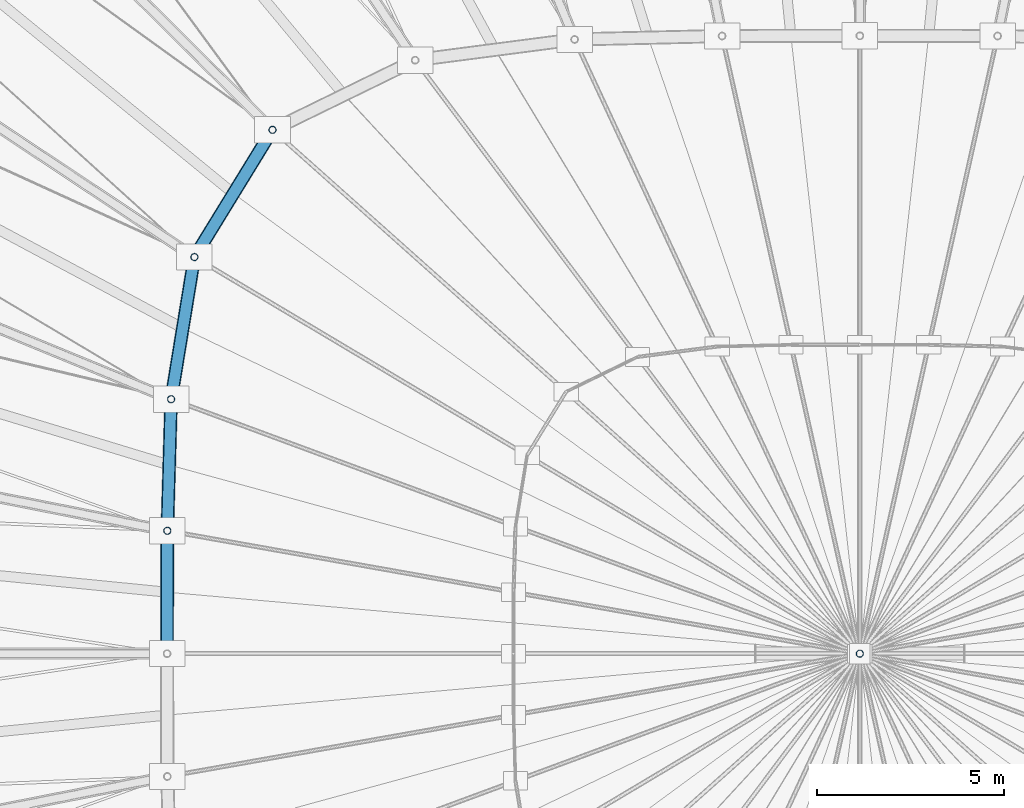
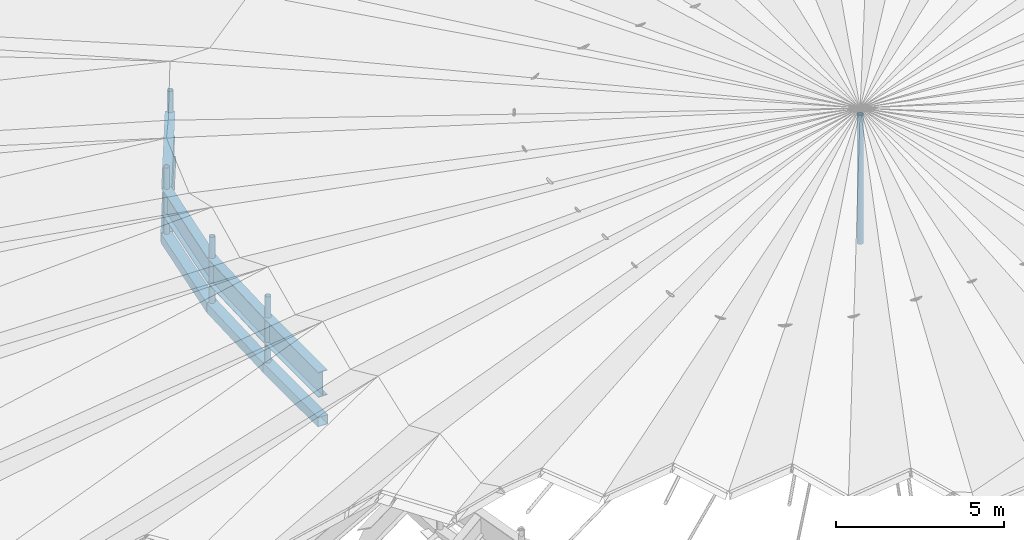
# One storey, part 11 of 41: 9 members, 4 beams.
"""IFC4 building model written with IfcOpenShell, lengths in metres."""

from ifc_helpers import new_model, si_unit, direction, frame, origin, origin_2d, place, context, subcontext, project, spatial, hollow_rectangle, hollow_circle, i_section, extrude, material, material_profile, profile_set, type_object, element, save


model = new_model("IFC4")

# Units and contexts
model_context = context("Model", 3, precision=1e-05, world=origin(), true_north=direction((0.0, 1.0)))
body_context = subcontext(model_context, "Body", "Model", "MODEL_VIEW")
ifc_project = project(units=[si_unit("LENGTHUNIT", "METRE"), si_unit("AREAUNIT", "SQUARE_METRE"), si_unit("VOLUMEUNIT", "CUBIC_METRE"), si_unit("PLANEANGLEUNIT", "RADIAN"), si_unit("MASSUNIT", "GRAM", prefix="KILO")], contexts=[model_context])

# Site, building, storey
site_placement = place(None, origin())
site = spatial("IfcSite", under=ifc_project, at=site_placement, CompositionType="ELEMENT")
building_placement = place(site_placement, origin())
building = spatial("IfcBuilding", under=site, at=building_placement, Name="Luwafu Chhajja Arena", CompositionType="ELEMENT")
storey_placement = place(building_placement, frame((0.0, 0.0, 29.699951171875)))
storey = spatial("IfcBuildingStorey", under=building, at=storey_placement, Name="RF", CompositionType="ELEMENT", Elevation=29.699951171875)

# Members
ifc_material = material(Name="Steel S355", Category="steel")
ifc_material_profile_1 = material_profile(ifc_material, hollow_circle(Radius=0.096923828125, WallThickness=0.008056640625, at=origin_2d()), Name="CHS 193.7x8")
ifc_profile_set_1 = profile_set([ifc_material_profile_1], Name="Steel S355")
member_type_1 = type_object("IfcMemberType", Name="Folded Pleat Tie Strut CHS 194", PredefinedType="BRACE", material=ifc_profile_set_1)
for number, where, z_axis, x_axis, name in (
    (1, (83.314453125, 63.48974609375, 4.10009765625), (0.0, 0.0, 1.0), (1.0, 0.0, 0.0), "Roof Inner Ring Truss Web IRW-13"),
    (2, (81.228759765625, 60.090576171875, 4.10009765625), (0.0, 0.0, 1.0), (1.0, 0.0, 0.0), "Roof Inner Ring Truss Web IRW-14"),
    (3, (80.607177734375, 56.294921875, 4.10009765625), (0.0, 0.0, 1.0), (1.0, 0.0, 0.0), "Roof Inner Ring Truss Web IRW-15"),
    (4, (80.5048828125, 52.78125, 4.10009765625), (0.0, 0.0, 1.0), (1.0, 0.0, 0.0), "Roof Inner Ring Truss Web IRW-16"),
):
    element("IfcMember", number, at=place(storey_placement, frame(where, z_axis=z_axis, x_axis=x_axis)), inside=storey, type_object=member_type_1, Name=name, PredefinedType="BRACE", context=body_context, shape_type="SweptSolid", body=[
        extrude(hollow_circle(Radius=0.096923828125, WallThickness=0.008056640625, at=origin_2d()), origin(), (0.0, 0.0, 1.0), 2.579833984375),
    ])
member_1_placement = place(storey_placement, frame((99.0, 49.5, 4.10009765625), z_axis=(0.0, 0.0, 1.0), x_axis=(1.0, 0.0, 0.0)))
element("IfcMember", 5, at=member_1_placement, inside=storey, type_object=member_type_1, Name="Cable Net Central Hub King Strut", PredefinedType="BRACE", context=body_context, shape_type="SweptSolid", body=[
    extrude(hollow_circle(Radius=0.096923828125, WallThickness=0.008056640625, at=origin_2d()), origin(), (0.0, 0.0, 1.0), 4.699951171875),
])

# Beams
ifc_material_profile_2 = material_profile(ifc_material, i_section(OverallWidth=0.305419921875, OverallDepth=0.91845703125, WebThickness=0.017333984375, FlangeThickness=0.02783203125, at=origin_2d()), Name="UB 914x305x253")
ifc_profile_set_2 = profile_set([ifc_material_profile_2], Name="Steel S355")
beam_type = type_object("IfcBeamType", Name="Inner Tension Ring Girder UB 914x305x253", PredefinedType="BEAM", material=ifc_profile_set_2)
beam_1_placement = place(storey_placement, frame((83.314453125, 63.48974609375, 5.449951171875), z_axis=(-0.522986908325, -0.852340714574, 0.0), x_axis=(0.852340714574, -0.522986908325, 0.0)))
element("IfcBeam", 6, at=beam_1_placement, inside=storey, type_object=beam_type, Name="Roof Inner Tension Ring Beam IR-13", PredefinedType="BEAM", context=body_context, shape_type="SweptSolid", body=[
    extrude(i_section(OverallWidth=0.305419921875, OverallDepth=0.91845703125, WebThickness=0.017333984375, FlangeThickness=0.02783203125, at=origin_2d()), origin(), (0.0, 0.0, 1.0), 3.988037109375),
])
beam_2_placement = place(storey_placement, frame((81.228759765625, 60.090576171875, 5.449951171875), z_axis=(-0.161608835362, -0.986854895277, 0.0), x_axis=(0.986854895277, -0.161608835362, 0.0)))
element("IfcBeam", 7, at=beam_2_placement, inside=storey, type_object=beam_type, Name="Roof Inner Tension Ring Beam IR-14", PredefinedType="BEAM", context=body_context, shape_type="SweptSolid", body=[
    extrude(i_section(OverallWidth=0.305419921875, OverallDepth=0.91845703125, WebThickness=0.017333984375, FlangeThickness=0.02783203125, at=origin_2d()), origin(), (0.0, 0.0, 1.0), 3.84619140625),
])
beam_3_placement = place(storey_placement, frame((80.607177734375, 56.294921875, 5.449951171875), z_axis=(-0.029101066059, -0.99957647429, 0.0), x_axis=(0.99957647429, -0.029101066059, 0.0)))
element("IfcBeam", 8, at=beam_3_placement, inside=storey, type_object=beam_type, Name="Roof Inner Tension Ring Beam IR-15", PredefinedType="BEAM", context=body_context, shape_type="SweptSolid", body=[
    extrude(i_section(OverallWidth=0.305419921875, OverallDepth=0.91845703125, WebThickness=0.017333984375, FlangeThickness=0.02783203125, at=origin_2d()), origin(), (0.0, 0.0, 1.0), 3.51513671875),
])
beam_4_placement = place(storey_placement, frame((80.5048828125, 52.78125, 5.449951171875), z_axis=(-0.00148809359, -0.999998892788, 0.0), x_axis=(0.999998892788, -0.00148809359, 0.0)))
element("IfcBeam", 9, at=beam_4_placement, inside=storey, type_object=beam_type, Name="Roof Inner Tension Ring Beam IR-16", PredefinedType="BEAM", context=body_context, shape_type="SweptSolid", body=[
    extrude(i_section(OverallWidth=0.305419921875, OverallDepth=0.91845703125, WebThickness=0.017333984375, FlangeThickness=0.02783203125, at=origin_2d()), origin(), (0.0, 0.0, 1.0), 3.28125),
])

# Members
ifc_material_profile_3 = material_profile(ifc_material, hollow_rectangle(XDim=0.35009765625, YDim=0.35009765625, WallThickness=0.01611328125, at=origin_2d()), Name="SHS 350x350x16")
ifc_profile_set_3 = profile_set([ifc_material_profile_3], Name="Steel S355")
member_type_2 = type_object("IfcMemberType", Name="Ring Stabilizing Truss Chord SHS 350", PredefinedType="CHORD", material=ifc_profile_set_3)
member_2_placement = place(storey_placement, frame((83.314453125, 63.48974609375, 4.10009765625), z_axis=(-0.522986908325, -0.852340714574, 0.0), x_axis=(0.852340714574, -0.522986908325, 0.0)))
element("IfcMember", 10, at=member_2_placement, inside=storey, type_object=member_type_2, Name="Roof Inner Stabilizing Ring Chord IRC-13", PredefinedType="CHORD", context=body_context, shape_type="SweptSolid", body=[
    extrude(hollow_rectangle(XDim=0.35009765625, YDim=0.35009765625, WallThickness=0.01611328125, at=origin_2d()), origin(), (0.0, 0.0, 1.0), 3.988037109375),
])
member_3_placement = place(storey_placement, frame((81.228759765625, 60.090576171875, 4.10009765625), z_axis=(-0.161608835362, -0.986854895277, 0.0), x_axis=(0.986854895277, -0.161608835362, 0.0)))
element("IfcMember", 11, at=member_3_placement, inside=storey, type_object=member_type_2, Name="Roof Inner Stabilizing Ring Chord IRC-14", PredefinedType="CHORD", context=body_context, shape_type="SweptSolid", body=[
    extrude(hollow_rectangle(XDim=0.35009765625, YDim=0.35009765625, WallThickness=0.01611328125, at=origin_2d()), origin(), (0.0, 0.0, 1.0), 3.84619140625),
])
member_4_placement = place(storey_placement, frame((80.607177734375, 56.294921875, 4.10009765625), z_axis=(-0.029101066059, -0.99957647429, 0.0), x_axis=(0.99957647429, -0.029101066059, 0.0)))
element("IfcMember", 12, at=member_4_placement, inside=storey, type_object=member_type_2, Name="Roof Inner Stabilizing Ring Chord IRC-15", PredefinedType="CHORD", context=body_context, shape_type="SweptSolid", body=[
    extrude(hollow_rectangle(XDim=0.35009765625, YDim=0.35009765625, WallThickness=0.01611328125, at=origin_2d()), origin(), (0.0, 0.0, 1.0), 3.51513671875),
])
member_5_placement = place(storey_placement, frame((80.5048828125, 52.78125, 4.10009765625), z_axis=(-0.00148809359, -0.999998892788, 0.0), x_axis=(0.999998892788, -0.00148809359, 0.0)))
element("IfcMember", 13, at=member_5_placement, inside=storey, type_object=member_type_2, Name="Roof Inner Stabilizing Ring Chord IRC-16", PredefinedType="CHORD", context=body_context, shape_type="SweptSolid", body=[
    extrude(hollow_rectangle(XDim=0.35009765625, YDim=0.35009765625, WallThickness=0.01611328125, at=origin_2d()), origin(), (0.0, 0.0, 1.0), 3.28125),
])

save(model, "model.ifc")
